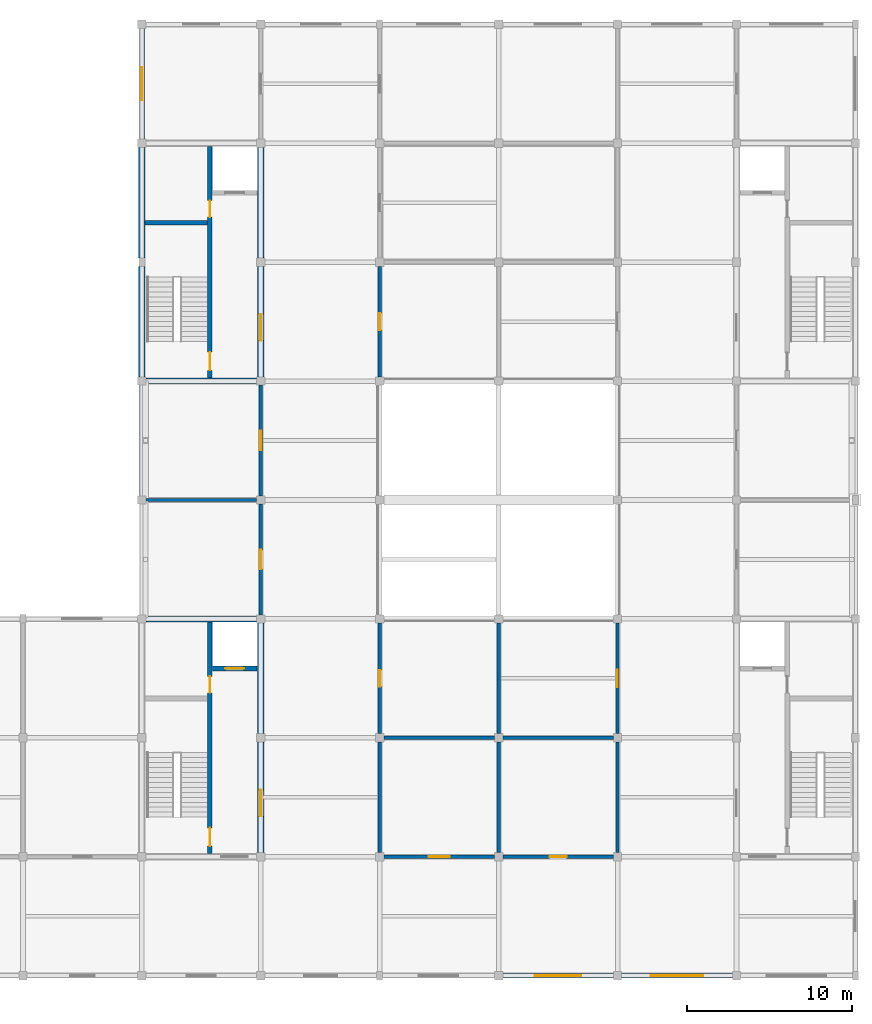
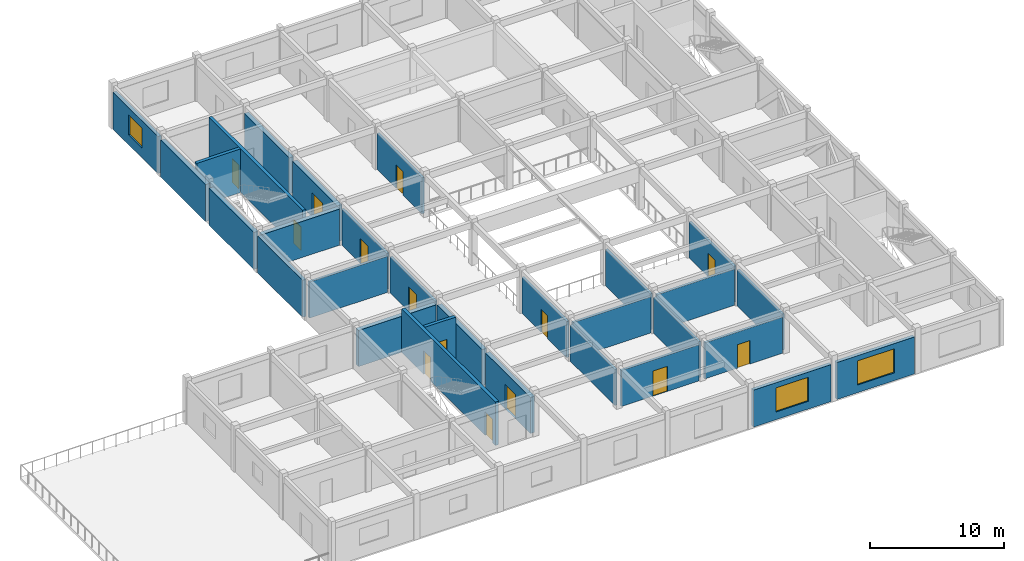
# One storey, part 4 of 7: 30 walls, 14 doors, 3 windows, 17 openings.
"""IFC4 building model written with IfcOpenShell, lengths in metres."""

from ifc_helpers import new_model, si_unit, direction, frame, frame_2d, origin, place, context, subcontext, project, spatial, rectangle, extrude, material, layer, layer_set, type_object, element, fill, save


model = new_model("IFC4")

# Units and contexts
model_context = context("Model", 3, precision=1e-05, world=origin(), true_north=direction((0.0, 1.0)))
body_context = subcontext(model_context, "Body", "Model", "MODEL_VIEW")
ifc_project = project(units=[si_unit("LENGTHUNIT", "METRE"), si_unit("AREAUNIT", "SQUARE_METRE"), si_unit("VOLUMEUNIT", "CUBIC_METRE"), si_unit("PLANEANGLEUNIT", "RADIAN"), si_unit("MASSUNIT", "GRAM", prefix="KILO")], contexts=[model_context])

# Site, building, storey
site_placement = place(None, origin())
site = spatial("IfcSite", under=ifc_project, at=site_placement, CompositionType="ELEMENT")
building_placement = place(site_placement, origin())
building = spatial("IfcBuilding", under=site, at=building_placement, Name="Cendaluz Park School", CompositionType="ELEMENT")
storey_placement = place(building_placement, frame((0.0, 0.0, 46.800048828125)))
storey = spatial("IfcBuildingStorey", under=building, at=storey_placement, Name="L11", CompositionType="ELEMENT", Elevation=46.800048828125)

# Wall
ifc_material_1 = material(Name="Gypsum Plasterboard on Cold-Formed Stud", Category="gypsum")
ifc_layer_1 = layer(ifc_material_1, 0.199951171875)
ifc_layer_set_1 = layer_set([ifc_layer_1], Name="Gypsum Plasterboard on Cold-Formed Stud")
wall_type_1 = type_object("IfcWallType", Name="W-AC20", PredefinedType="PARTITIONING", material=ifc_layer_set_1)
wall_1_placement = place(storey_placement, frame((65.050048828125, 36.0, 0.0), z_axis=(0.0, 0.0, 1.0), x_axis=(1.0, 0.0, 0.0)))
element("IfcWall", 1, at=wall_1_placement, inside=storey, type_object=wall_type_1, Name="WL-FL-BL4", PredefinedType="PARTITIONING", context=body_context, shape_type="SweptSolid", body=[
    extrude(rectangle(XDim=6.699951171875, YDim=0.199951171875, at=frame_2d((3.35009765625, 0.0))), origin(), (0.0, 0.0, 1.0), 3.2900390625),
])

# Wall, opening, door
wall_2_placement = place(storey_placement, frame((72.0, 29.050048828125, 0.0), z_axis=(0.0, 0.0, 1.0), x_axis=(0.0, 1.0, 0.0)))
wall_2 = element("IfcWall", 2, at=wall_2_placement, inside=storey, type_object=wall_type_1, Name="WL-FL-BL5", PredefinedType="PARTITIONING", context=body_context, shape_type="SweptSolid", body=[
    extrude(rectangle(XDim=6.699951171875, YDim=0.199951171875, at=frame_2d((3.35009765625, 0.0))), origin(), (0.0, 0.0, 1.0), 3.2900390625),
])
opening_1_placement = place(wall_2_placement, frame((2.77001953125, 0.0, 0.0)))
opening_1 = element("IfcOpeningElement", 3, at=opening_1_placement, cuts=wall_2, Name="Opening DCL-07", PredefinedType="OPENING", context=body_context, shape_type="SweptSolid", body=[
    extrude(rectangle(XDim=1.159912109375, YDim=2.219970703125, at=frame_2d((0.580078125, 1.10986328125))), frame((0.0, 0.112060546875, 0.0), z_axis=(0.0, -1.0, 0.0), x_axis=(1.0, 0.0, 0.0)), (0.0, 0.0, 1.0), 0.223876953125),
])
ifc_material_2 = material(Name="Solid Core Hardwood", Category="wood")
door_type_1 = type_object("IfcDoorType", Name="DCL-07", OperationType="NOTDEFINED", PredefinedType="DOOR", material=ifc_material_2)
door_1_placement = place(opening_1_placement, origin())
door_1 = element("IfcDoor", 4, at=door_1_placement, inside=storey, type_object=door_type_1, Name="D-L11-024", OperationType="SINGLE_SWING_RIGHT", OverallHeight=2.219970703125, OverallWidth=1.159912109375, PredefinedType="DOOR", context=body_context, shape_type="SweptSolid", body=[
    extrude(rectangle(XDim=1.159912109375, YDim=2.219970703125, at=frame_2d((0.580078125, 1.10986328125))), frame((0.0, 0.02490234375, 0.0), z_axis=(0.0, -1.0, 0.0), x_axis=(1.0, 0.0, 0.0)), (0.0, 0.0, 1.0), 0.050048828125),
])
fill(opening_1, door_1)

wall_3_placement = place(storey_placement, frame((72.0, 36.25, 0.0), z_axis=(0.0, 0.0, 1.0), x_axis=(0.0, 1.0, 0.0)))
wall_3 = element("IfcWall", 5, at=wall_3_placement, inside=storey, type_object=wall_type_1, Name="WL-FL-BL6", PredefinedType="PARTITIONING", context=body_context, shape_type="SweptSolid", body=[
    extrude(rectangle(XDim=6.699951171875, YDim=0.199951171875, at=frame_2d((3.35009765625, 0.0))), origin(), (0.0, 0.0, 1.0), 3.2900390625),
])
opening_2_placement = place(wall_3_placement, frame((2.75, 0.0, 0.0)))
opening_2 = element("IfcOpeningElement", 6, at=opening_2_placement, cuts=wall_3, Name="Opening DCL-08", PredefinedType="OPENING", context=body_context, shape_type="SweptSolid", body=[
    extrude(rectangle(XDim=1.199951171875, YDim=2.239990234375, at=frame_2d((0.60009765625, 1.1201171875))), frame((0.0, 0.112060546875, 0.0), z_axis=(0.0, -1.0, 0.0), x_axis=(1.0, 0.0, 0.0)), (0.0, 0.0, 1.0), 0.223876953125),
])
door_type_2 = type_object("IfcDoorType", Name="DCL-08", OperationType="NOTDEFINED", PredefinedType="DOOR", material=ifc_material_2)
door_2_placement = place(opening_2_placement, origin())
door_2 = element("IfcDoor", 7, at=door_2_placement, inside=storey, type_object=door_type_2, Name="D-L11-025", OperationType="SINGLE_SWING_LEFT", OverallHeight=2.239990234375, OverallWidth=1.199951171875, PredefinedType="DOOR", context=body_context, shape_type="SweptSolid", body=[
    extrude(rectangle(XDim=1.199951171875, YDim=2.239990234375, at=frame_2d((0.60009765625, 1.1201171875))), frame((0.0, 0.02490234375, 0.0), z_axis=(0.0, -1.0, 0.0), x_axis=(1.0, 0.0, 0.0)), (0.0, 0.0, 1.0), 0.050048828125),
])
fill(opening_2, door_2)

wall_4_placement = place(storey_placement, frame((79.449951171875, 14.39990234375, 0.0), z_axis=(0.0, 0.0, 1.0), x_axis=(1.0, 0.0, 0.0)))
wall_4 = element("IfcWall", 8, at=wall_4_placement, inside=storey, type_object=wall_type_1, Name="WL-FL-BL8", PredefinedType="PARTITIONING", context=body_context, shape_type="SweptSolid", body=[
    extrude(rectangle(XDim=6.699951171875, YDim=0.199951171875, at=frame_2d((3.35009765625, 0.0))), origin(), (0.0, 0.0, 1.0), 3.2900390625),
])
opening_3_placement = place(wall_4_placement, frame((2.7099609375, 0.0, 0.0)))
opening_3 = element("IfcOpeningElement", 9, at=opening_3_placement, cuts=wall_4, Name="Opening DCL-10", PredefinedType="OPENING", context=body_context, shape_type="SweptSolid", body=[
    extrude(rectangle(XDim=1.280029296875, YDim=2.280029296875, at=frame_2d((0.64013671875, 1.14013671875))), frame((0.0, 0.112060546875, 0.0), z_axis=(0.0, -1.0, 0.0), x_axis=(1.0, 0.0, 0.0)), (0.0, 0.0, 1.0), 0.223876953125),
])
door_type_3 = type_object("IfcDoorType", Name="DCL-10", OperationType="NOTDEFINED", PredefinedType="DOOR", material=ifc_material_2)
door_3_placement = place(opening_3_placement, origin())
door_3 = element("IfcDoor", 10, at=door_3_placement, inside=storey, type_object=door_type_3, Name="D-L11-027", OperationType="SINGLE_SWING_LEFT", OverallHeight=2.280029296875, OverallWidth=1.280029296875, PredefinedType="DOOR", context=body_context, shape_type="SweptSolid", body=[
    extrude(rectangle(XDim=1.280029296875, YDim=2.280029296875, at=frame_2d((0.64013671875, 1.14013671875))), frame((0.0, 0.02490234375, 0.0), z_axis=(0.0, -1.0, 0.0), x_axis=(1.0, 0.0, 0.0)), (0.0, 0.0, 1.0), 0.050048828125),
])
fill(opening_3, door_3)

# Walls
wall_5_placement = place(storey_placement, frame((79.449951171875, 21.60009765625, 0.0), z_axis=(0.0, 0.0, 1.0), x_axis=(1.0, 0.0, 0.0)))
element("IfcWall", 11, at=wall_5_placement, inside=storey, type_object=wall_type_1, Name="WL-FL-BL9", PredefinedType="PARTITIONING", context=body_context, shape_type="SweptSolid", body=[
    extrude(rectangle(XDim=6.699951171875, YDim=0.199951171875, at=frame_2d((3.35009765625, 0.0))), origin(), (0.0, 0.0, 1.0), 3.2900390625),
])
for number, where, z_axis, x_axis, name in (
    (12, (79.199951171875, 14.64990234375, 0.0), (0.0, 0.0, 1.0), (0.0, 1.0, 0.0), "WL-FL-BM0"),
    (13, (86.39990234375, 14.64990234375, 0.0), (0.0, 0.0, 1.0), (0.0, 1.0, 0.0), "WL-FL-BM1"),
):
    element("IfcWall", number, at=place(storey_placement, frame(where, z_axis=z_axis, x_axis=x_axis)), inside=storey, type_object=wall_type_1, Name=name, PredefinedType="PARTITIONING", context=body_context, shape_type="SweptSolid", body=[
        extrude(rectangle(XDim=6.7001953125, YDim=0.199951171875, at=frame_2d((3.35009765625, 0.0))), origin(), (0.0, 0.0, 1.0), 3.2900390625),
    ])

# Wall, opening, door
wall_6_placement = place(storey_placement, frame((79.199951171875, 21.85009765625, 0.0), z_axis=(0.0, 0.0, 1.0), x_axis=(0.0, 1.0, 0.0)))
wall_6 = element("IfcWall", 14, at=wall_6_placement, inside=storey, type_object=wall_type_1, Name="WL-FL-BM2", PredefinedType="PARTITIONING", context=body_context, shape_type="SweptSolid", body=[
    extrude(rectangle(XDim=6.699951171875, YDim=0.199951171875, at=frame_2d((3.35009765625, 0.0))), origin(), (0.0, 0.0, 1.0), 3.2900390625),
])
opening_4_placement = place(wall_6_placement, frame((2.85009765625, 0.0, 0.0)))
opening_4 = element("IfcOpeningElement", 15, at=opening_4_placement, cuts=wall_6, Name="Opening DCL-01", PredefinedType="OPENING", context=body_context, shape_type="SweptSolid", body=[
    extrude(rectangle(XDim=1.0, YDim=2.10009765625, at=frame_2d((0.5, 1.050048828125))), frame((0.0, 0.112060546875, 0.0), z_axis=(0.0, -1.0, 0.0), x_axis=(1.0, 0.0, 0.0)), (0.0, 0.0, 1.0), 0.223876953125),
])
door_type_4 = type_object("IfcDoorType", Name="DCL-01", OperationType="NOTDEFINED", PredefinedType="DOOR", material=ifc_material_2)
door_4_placement = place(opening_4_placement, frame((1.0, 0.0, 0.0), z_axis=(0.0, 0.0, 1.0), x_axis=(-1.0, 0.0, 0.0)))
door_4 = element("IfcDoor", 16, at=door_4_placement, inside=storey, type_object=door_type_4, Name="D-L11-028", OperationType="SINGLE_SWING_RIGHT", OverallHeight=2.10009765625, OverallWidth=1.0, PredefinedType="DOOR", context=body_context, shape_type="SweptSolid", body=[
    extrude(rectangle(XDim=1.0, YDim=2.10009765625, at=frame_2d((0.5, 1.050048828125))), frame((0.0, 0.02490234375, 0.0), z_axis=(0.0, -1.0, 0.0), x_axis=(1.0, 0.0, 0.0)), (0.0, 0.0, 1.0), 0.050048828125),
])
fill(opening_4, door_4)

# Wall
wall_7_placement = place(storey_placement, frame((86.39990234375, 21.85009765625, 0.0), z_axis=(0.0, 0.0, 1.0), x_axis=(0.0, 1.0, 0.0)))
element("IfcWall", 17, at=wall_7_placement, inside=storey, type_object=wall_type_1, Name="WL-FL-BM3", PredefinedType="PARTITIONING", context=body_context, shape_type="SweptSolid", body=[
    extrude(rectangle(XDim=6.699951171875, YDim=0.199951171875, at=frame_2d((3.35009765625, 0.0))), origin(), (0.0, 0.0, 1.0), 3.2900390625),
])

# Wall, opening, door
wall_8_placement = place(storey_placement, frame((79.199951171875, 43.449951171875, 0.0), z_axis=(0.0, 0.0, 1.0), x_axis=(0.0, 1.0, 0.0)))
wall_8 = element("IfcWall", 18, at=wall_8_placement, inside=storey, type_object=wall_type_1, Name="WL-FL-BM4", PredefinedType="PARTITIONING", context=body_context, shape_type="SweptSolid", body=[
    extrude(rectangle(XDim=6.699951171875, YDim=0.199951171875, at=frame_2d((3.35009765625, 0.0))), origin(), (0.0, 0.0, 1.0), 3.2900390625),
])
opening_5_placement = place(wall_8_placement, frame((2.840087890625, 0.0, 0.0)))
opening_5 = element("IfcOpeningElement", 19, at=opening_5_placement, cuts=wall_8, Name="Opening DCL-02", PredefinedType="OPENING", context=body_context, shape_type="SweptSolid", body=[
    extrude(rectangle(XDim=1.02001953125, YDim=2.1201171875, at=frame_2d((0.510009765625, 1.06005859375))), frame((0.0, 0.112060546875, 0.0), z_axis=(0.0, -1.0, 0.0), x_axis=(1.0, 0.0, 0.0)), (0.0, 0.0, 1.0), 0.223876953125),
])
door_type_5 = type_object("IfcDoorType", Name="DCL-02", OperationType="NOTDEFINED", PredefinedType="DOOR", material=ifc_material_2)
door_5_placement = place(opening_5_placement, frame((1.02001953125, 0.0, 0.0), z_axis=(0.0, 0.0, 1.0), x_axis=(-1.0, 0.0, 0.0)))
door_5 = element("IfcDoor", 20, at=door_5_placement, inside=storey, type_object=door_type_5, Name="D-L11-029", OperationType="SINGLE_SWING_LEFT", OverallHeight=2.1201171875, OverallWidth=1.02001953125, PredefinedType="DOOR", context=body_context, shape_type="SweptSolid", body=[
    extrude(rectangle(XDim=1.02001953125, YDim=2.1201171875, at=frame_2d((0.510009765625, 1.06005859375))), frame((0.0, 0.02490234375, 0.0), z_axis=(0.0, -1.0, 0.0), x_axis=(1.0, 0.0, 0.0)), (0.0, 0.0, 1.0), 0.050048828125),
])
fill(opening_5, door_5)

wall_9_placement = place(storey_placement, frame((86.64990234375, 14.39990234375, 0.0), z_axis=(0.0, 0.0, 1.0), x_axis=(1.0, 0.0, 0.0)))
wall_9 = element("IfcWall", 21, at=wall_9_placement, inside=storey, type_object=wall_type_1, Name="WL-FL-BM6", PredefinedType="PARTITIONING", context=body_context, shape_type="SweptSolid", body=[
    extrude(rectangle(XDim=6.7001953125, YDim=0.199951171875, at=frame_2d((3.35009765625, 0.0))), origin(), (0.0, 0.0, 1.0), 3.2900390625),
])
opening_6_placement = place(wall_9_placement, frame((2.830078125, 0.0, 0.0)))
opening_6 = element("IfcOpeningElement", 22, at=opening_6_placement, cuts=wall_9, Name="Opening DCL-03", PredefinedType="OPENING", context=body_context, shape_type="SweptSolid", body=[
    extrude(rectangle(XDim=1.0400390625, YDim=2.139892578125, at=frame_2d((0.52001953125, 1.06982421875))), frame((0.0, 0.112060546875, 0.0), z_axis=(0.0, -1.0, 0.0), x_axis=(1.0, 0.0, 0.0)), (0.0, 0.0, 1.0), 0.223876953125),
])
door_type_6 = type_object("IfcDoorType", Name="DCL-03", OperationType="NOTDEFINED", PredefinedType="DOOR", material=ifc_material_2)
door_6_placement = place(opening_6_placement, origin())
door_6 = element("IfcDoor", 23, at=door_6_placement, inside=storey, type_object=door_type_6, Name="D-L11-030", OperationType="SINGLE_SWING_RIGHT", OverallHeight=2.139892578125, OverallWidth=1.0400390625, PredefinedType="DOOR", context=body_context, shape_type="SweptSolid", body=[
    extrude(rectangle(XDim=1.0400390625, YDim=2.139892578125, at=frame_2d((0.52001953125, 1.06982421875))), frame((0.0, 0.02490234375, 0.0), z_axis=(0.0, -1.0, 0.0), x_axis=(1.0, 0.0, 0.0)), (0.0, 0.0, 1.0), 0.050048828125),
])
fill(opening_6, door_6)

# Walls
for number, where, z_axis, x_axis, name in (
    (24, (86.64990234375, 21.60009765625, 0.0), (0.0, 0.0, 1.0), (1.0, 0.0, 0.0), "WL-FL-BM7"),
    (25, (93.60009765625, 14.64990234375, 0.0), (0.0, 0.0, 1.0), (0.0, 1.0, 0.0), "WL-FL-BM8"),
):
    element("IfcWall", number, at=place(storey_placement, frame(where, z_axis=z_axis, x_axis=x_axis)), inside=storey, type_object=wall_type_1, Name=name, PredefinedType="PARTITIONING", context=body_context, shape_type="SweptSolid", body=[
        extrude(rectangle(XDim=6.7001953125, YDim=0.199951171875, at=frame_2d((3.35009765625, 0.0))), origin(), (0.0, 0.0, 1.0), 3.2900390625),
    ])

# Wall, opening, door
wall_10_placement = place(storey_placement, frame((93.60009765625, 21.85009765625, 0.0), z_axis=(0.0, 0.0, 1.0), x_axis=(0.0, 1.0, 0.0)))
wall_10 = element("IfcWall", 26, at=wall_10_placement, inside=storey, type_object=wall_type_1, Name="WL-FL-BM9", PredefinedType="PARTITIONING", context=body_context, shape_type="SweptSolid", body=[
    extrude(rectangle(XDim=6.699951171875, YDim=0.199951171875, at=frame_2d((3.35009765625, 0.0))), origin(), (0.0, 0.0, 1.0), 3.2900390625),
])
opening_7_placement = place(wall_10_placement, frame((2.820068359375, 0.0, 0.0)))
opening_7 = element("IfcOpeningElement", 27, at=opening_7_placement, cuts=wall_10, Name="Opening DCL-04", PredefinedType="OPENING", context=body_context, shape_type="SweptSolid", body=[
    extrude(rectangle(XDim=1.06005859375, YDim=2.159912109375, at=frame_2d((0.530029296875, 1.080078125))), frame((0.0, 0.112060546875, 0.0), z_axis=(0.0, -1.0, 0.0), x_axis=(1.0, 0.0, 0.0)), (0.0, 0.0, 1.0), 0.223876953125),
])
door_type_7 = type_object("IfcDoorType", Name="DCL-04", OperationType="NOTDEFINED", PredefinedType="DOOR", material=ifc_material_2)
door_7_placement = place(opening_7_placement, origin())
door_7 = element("IfcDoor", 28, at=door_7_placement, inside=storey, type_object=door_type_7, Name="D-L11-031", OperationType="SINGLE_SWING_LEFT", OverallHeight=2.159912109375, OverallWidth=1.06005859375, PredefinedType="DOOR", context=body_context, shape_type="SweptSolid", body=[
    extrude(rectangle(XDim=1.06005859375, YDim=2.159912109375, at=frame_2d((0.530029296875, 1.080078125))), frame((0.0, 0.02490234375, 0.0), z_axis=(0.0, -1.0, 0.0), x_axis=(1.0, 0.0, 0.0)), (0.0, 0.0, 1.0), 0.050048828125),
])
fill(opening_7, door_7)

# Wall
ifc_material_3 = material(Name="Cross-laminated timber CLT C24", Category="wood")
ifc_layer_2 = layer(ifc_material_3, 0.300048828125)
ifc_layer_set_2 = layer_set([ifc_layer_2], Name="Cross-laminated timber CLT C24")
wall_type_2 = type_object("IfcWallType", Name="W-EX30", PredefinedType="SOLIDWALL", material=ifc_layer_set_2)
wall_11_placement = place(storey_placement, frame((64.800048828125, 36.25, 0.0), z_axis=(0.0, 0.0, 1.0), x_axis=(0.0, 1.0, 0.0)))
element("IfcWall", 29, at=wall_11_placement, inside=storey, type_object=wall_type_2, Name="WL-FL-AA9", PredefinedType="SOLIDWALL", context=body_context, shape_type="SweptSolid", body=[
    extrude(rectangle(XDim=6.699951171875, YDim=0.300048828125, at=frame_2d((3.35009765625, 0.0))), origin(), (0.0, 0.0, 1.0), 3.369873046875),
])

# Wall, opening, window
wall_12_placement = place(storey_placement, frame((64.800048828125, 57.85009765625, 0.0), z_axis=(0.0, 0.0, 1.0), x_axis=(0.0, 1.0, 0.0)))
wall_12 = element("IfcWall", 30, at=wall_12_placement, inside=storey, type_object=wall_type_2, Name="WL-FL-AB1", PredefinedType="SOLIDWALL", context=body_context, shape_type="SweptSolid", body=[
    extrude(rectangle(XDim=6.699951171875, YDim=0.300048828125, at=frame_2d((3.35009765625, 0.0))), origin(), (0.0, 0.0, 1.0), 3.369873046875),
])
opening_8_placement = place(wall_12_placement, frame((2.35009765625, 0.0, 0.89990234375)))
opening_8 = element("IfcOpeningElement", 31, at=opening_8_placement, cuts=wall_12, Name="Opening WN-02", PredefinedType="OPENING", context=body_context, shape_type="SweptSolid", body=[
    extrude(rectangle(XDim=2.0, YDim=1.800048828125, at=frame_2d((1.0, 0.89990234375))), frame((0.0, 0.162109375, 0.0), z_axis=(0.0, -1.0, 0.0), x_axis=(1.0, 0.0, 0.0)), (0.0, 0.0, 1.0), 0.323974609375),
])
ifc_material_4 = material(Name="Tempered Low-E Double Glazing", Category="glass")
window_type_1 = type_object("IfcWindowType", Name="WN-02", PartitioningType="SINGLE_PANEL", PredefinedType="WINDOW", material=ifc_material_4)
window_1_placement = place(opening_8_placement, origin())
window_1 = element("IfcWindow", 32, at=window_1_placement, inside=storey, type_object=window_type_1, Name="WN-L11-009", OverallHeight=1.800048828125, OverallWidth=2.0, PartitioningType="SINGLE_PANEL", PredefinedType="WINDOW", context=body_context, shape_type="SweptSolid", body=[
    extrude(rectangle(XDim=2.0, YDim=1.800048828125, at=frame_2d((1.0, 0.89990234375))), frame((0.0, 0.030029296875, 0.0), z_axis=(0.0, -1.0, 0.0), x_axis=(1.0, 0.0, 0.0)), (0.0, 0.0, 1.0), 0.06005859375),
])
fill(opening_8, window_1)

wall_13_placement = place(storey_placement, frame((86.64990234375, 7.199951171875, 0.0), z_axis=(0.0, 0.0, 1.0), x_axis=(1.0, 0.0, 0.0)))
wall_13 = element("IfcWall", 33, at=wall_13_placement, inside=storey, type_object=wall_type_2, Name="WL-FL-AB6", PredefinedType="SOLIDWALL", context=body_context, shape_type="SweptSolid", body=[
    extrude(rectangle(XDim=6.7001953125, YDim=0.300048828125, at=frame_2d((3.35009765625, 0.0))), origin(), (0.0, 0.0, 1.0), 3.369873046875),
])
opening_9_placement = place(wall_13_placement, frame((1.949951171875, 0.0, 0.699951171875)))
opening_9 = element("IfcOpeningElement", 34, at=opening_9_placement, cuts=wall_13, Name="Opening WN-24", PredefinedType="OPENING", context=body_context, shape_type="SweptSolid", body=[
    extrude(rectangle(XDim=2.800048828125, YDim=2.199951171875, at=frame_2d((1.39990234375, 1.10009765625))), frame((0.0, 0.162109375, 0.0), z_axis=(0.0, -1.0, 0.0), x_axis=(1.0, 0.0, 0.0)), (0.0, 0.0, 1.0), 0.323974609375),
])
window_type_2 = type_object("IfcWindowType", Name="WN-24", PartitioningType="SINGLE_PANEL", PredefinedType="WINDOW", material=ifc_material_4)
window_2_placement = place(opening_9_placement, origin())
window_2 = element("IfcWindow", 35, at=window_2_placement, inside=storey, type_object=window_type_2, Name="WN-L11-014", OverallHeight=2.199951171875, OverallWidth=2.800048828125, PartitioningType="SINGLE_PANEL", PredefinedType="WINDOW", context=body_context, shape_type="SweptSolid", body=[
    extrude(rectangle(XDim=2.800048828125, YDim=2.199951171875, at=frame_2d((1.39990234375, 1.10009765625))), frame((0.0, 0.030029296875, 0.0), z_axis=(0.0, -1.0, 0.0), x_axis=(1.0, 0.0, 0.0)), (0.0, 0.0, 1.0), 0.06005859375),
])
fill(opening_9, window_2)

wall_14_placement = place(storey_placement, frame((93.85009765625, 7.199951171875, 0.0), z_axis=(0.0, 0.0, 1.0), x_axis=(1.0, 0.0, 0.0)))
wall_14 = element("IfcWall", 36, at=wall_14_placement, inside=storey, type_object=wall_type_2, Name="WL-FL-AB8", PredefinedType="SOLIDWALL", context=body_context, shape_type="SweptSolid", body=[
    extrude(rectangle(XDim=6.699951171875, YDim=0.300048828125, at=frame_2d((3.35009765625, 0.0))), origin(), (0.0, 0.0, 1.0), 3.369873046875),
])
opening_10_placement = place(wall_14_placement, frame((1.75, 0.0, 0.699951171875)))
opening_10 = element("IfcOpeningElement", 37, at=opening_10_placement, cuts=wall_14, Name="Opening WN-25", PredefinedType="OPENING", context=body_context, shape_type="SweptSolid", body=[
    extrude(rectangle(XDim=3.199951171875, YDim=2.199951171875, at=frame_2d((1.60009765625, 1.10009765625))), frame((0.0, 0.162109375, 0.0), z_axis=(0.0, -1.0, 0.0), x_axis=(1.0, 0.0, 0.0)), (0.0, 0.0, 1.0), 0.323974609375),
])
window_type_3 = type_object("IfcWindowType", Name="WN-25", PartitioningType="SINGLE_PANEL", PredefinedType="WINDOW", material=ifc_material_4)
window_3_placement = place(opening_10_placement, origin())
window_3 = element("IfcWindow", 38, at=window_3_placement, inside=storey, type_object=window_type_3, Name="WN-L11-016", OverallHeight=2.199951171875, OverallWidth=3.199951171875, PartitioningType="SINGLE_PANEL", PredefinedType="WINDOW", context=body_context, shape_type="SweptSolid", body=[
    extrude(rectangle(XDim=3.199951171875, YDim=2.199951171875, at=frame_2d((1.60009765625, 1.10009765625))), frame((0.0, 0.030029296875, 0.0), z_axis=(0.0, -1.0, 0.0), x_axis=(1.0, 0.0, 0.0)), (0.0, 0.0, 1.0), 0.06005859375),
])
fill(opening_10, window_3)

# Wall, openings, doors
ifc_material_5 = material(Name="Concrete C40/50", Category="concrete")
ifc_layer_3 = layer(ifc_material_5, 0.280029296875)
ifc_layer_set_3 = layer_set([ifc_layer_3], Name="Concrete C40/50")
wall_type_3 = type_object("IfcWallType", Name="W-FW28", PredefinedType="SHEAR", material=ifc_layer_set_3)
wall_15_placement = place(storey_placement, frame((68.919921875, 14.60009765625, 0.0), z_axis=(0.0, 0.0, 1.0), x_axis=(0.0, 1.0, 0.0)))
wall_15 = element("IfcWall", 39, at=wall_15_placement, inside=storey, type_object=wall_type_3, Name="WL-FL-BH2", PredefinedType="SHEAR", context=body_context, shape_type="SweptSolid", body=[
    extrude(rectangle(XDim=14.0, YDim=0.280029296875, at=frame_2d((7.0, 0.0))), origin(), (0.0, 0.0, 1.0), 3.969970703125),
])
opening_11_placement = place(wall_15_placement, frame((0.449951171875, 0.0, 0.0)))
opening_11 = element("IfcOpeningElement", 40, at=opening_11_placement, cuts=wall_15, Name="Opening DST-01", PredefinedType="OPENING", context=body_context, shape_type="SweptSolid", body=[
    extrude(rectangle(XDim=1.10009765625, YDim=2.14990234375, at=frame_2d((0.550048828125, 1.074951171875))), frame((0.0, 0.152099609375, 0.0), z_axis=(0.0, -1.0, 0.0), x_axis=(1.0, 0.0, 0.0)), (0.0, 0.0, 1.0), 0.303955078125),
])
opening_12_placement = place(wall_15_placement, frame((9.719970703125, 0.0, 0.0)))
opening_12 = element("IfcOpeningElement", 41, at=opening_12_placement, cuts=wall_15, Name="Opening DFC-01", PredefinedType="OPENING", context=body_context, shape_type="SweptSolid", body=[
    extrude(rectangle(XDim=1.0, YDim=2.14990234375, at=frame_2d((0.5, 1.074951171875))), frame((0.0, 0.152099609375, 0.0), z_axis=(0.0, -1.0, 0.0), x_axis=(1.0, 0.0, 0.0)), (0.0, 0.0, 1.0), 0.303955078125),
])
door_type_8 = type_object("IfcDoorType", Name="DFC-01", OperationType="NOTDEFINED", PredefinedType="DOOR", material=ifc_material_2)
door_8_placement = place(opening_12_placement, origin())
door_8 = element("IfcDoor", 42, at=door_8_placement, inside=storey, type_object=door_type_8, Name="D-L11-005", OperationType="SINGLE_SWING_LEFT", OverallHeight=2.14990234375, OverallWidth=1.0, PredefinedType="DOOR", context=body_context, shape_type="SweptSolid", body=[
    extrude(rectangle(XDim=1.0, YDim=2.14990234375, at=frame_2d((0.5, 1.074951171875))), frame((0.0, 0.02490234375, 0.0), z_axis=(0.0, -1.0, 0.0), x_axis=(1.0, 0.0, 0.0)), (0.0, 0.0, 1.0), 0.050048828125),
])
fill(opening_12, door_8)
door_type_9 = type_object("IfcDoorType", Name="DST-01", OperationType="NOTDEFINED", PredefinedType="DOOR", material=ifc_material_2)
door_9_placement = place(opening_11_placement, origin())
door_9 = element("IfcDoor", 43, at=door_9_placement, inside=storey, type_object=door_type_9, Name="D-L11-004", OperationType="SINGLE_SWING_LEFT", OverallHeight=2.14990234375, OverallWidth=1.10009765625, PredefinedType="DOOR", context=body_context, shape_type="SweptSolid", body=[
    extrude(rectangle(XDim=1.10009765625, YDim=2.14990234375, at=frame_2d((0.550048828125, 1.074951171875))), frame((0.0, 0.02490234375, 0.0), z_axis=(0.0, -1.0, 0.0), x_axis=(1.0, 0.0, 0.0)), (0.0, 0.0, 1.0), 0.050048828125),
])
fill(opening_11, door_9)

# Wall, opening, door
wall_16_placement = place(storey_placement, frame((69.080078125, 25.800048828125, 0.0), z_axis=(0.0, 0.0, 1.0), x_axis=(1.0, 0.0, 0.0)))
wall_16 = element("IfcWall", 44, at=wall_16_placement, inside=storey, type_object=wall_type_3, Name="WL-FL-BH4", PredefinedType="SHEAR", context=body_context, shape_type="SweptSolid", body=[
    extrude(rectangle(XDim=2.679931640625, YDim=0.280029296875, at=frame_2d((1.33984375, 0.0))), origin(), (0.0, 0.0, 1.0), 3.969970703125),
])
opening_13_placement = place(wall_16_placement, frame((0.764892578125, 0.0, 0.0)))
opening_13 = element("IfcOpeningElement", 45, at=opening_13_placement, cuts=wall_16, Name="Opening LD-01", PredefinedType="OPENING", context=body_context, shape_type="SweptSolid", body=[
    extrude(rectangle(XDim=1.14990234375, YDim=2.199951171875, at=frame_2d((0.574951171875, 1.10009765625))), frame((0.0, 0.152099609375, 0.0), z_axis=(0.0, -1.0, 0.0), x_axis=(1.0, 0.0, 0.0)), (0.0, 0.0, 1.0), 0.303955078125),
])
ifc_material_6 = material(Name="Stainless Steel 316L", Category="steel")
door_type_10 = type_object("IfcDoorType", Name="LD-01", OperationType="DOUBLE_DOOR_SLIDING", PredefinedType="DOOR", material=ifc_material_6)
door_10_placement = place(opening_13_placement, frame((1.14990234375, 0.0, 0.0), z_axis=(0.0, 0.0, 1.0), x_axis=(-1.0, 0.0, 0.0)))
door_10 = element("IfcDoor", 46, at=door_10_placement, inside=storey, type_object=door_type_10, Name="D-L11-006", OperationType="DOUBLE_DOOR_SLIDING", OverallHeight=2.199951171875, OverallWidth=1.14990234375, PredefinedType="DOOR", context=body_context, shape_type="SweptSolid", body=[
    extrude(rectangle(XDim=1.14990234375, YDim=2.199951171875, at=frame_2d((0.574951171875, 1.10009765625))), frame((0.0, 0.02490234375, 0.0), z_axis=(0.0, -1.0, 0.0), x_axis=(1.0, 0.0, 0.0)), (0.0, 0.0, 1.0), 0.050048828125),
])
fill(opening_13, door_10)

# Wall, openings, doors
wall_17_placement = place(storey_placement, frame((68.919921875, 43.39990234375, 0.0), z_axis=(0.0, 0.0, 1.0), x_axis=(0.0, 1.0, 0.0)))
wall_17 = element("IfcWall", 47, at=wall_17_placement, inside=storey, type_object=wall_type_3, Name="WL-FL-BJ0", PredefinedType="SHEAR", context=body_context, shape_type="SweptSolid", body=[
    extrude(rectangle(XDim=14.0, YDim=0.280029296875, at=frame_2d((7.0, 0.0))), origin(), (0.0, 0.0, 1.0), 3.969970703125),
])
opening_14_placement = place(wall_17_placement, frame((0.449951171875, 0.0, 0.0)))
opening_14 = element("IfcOpeningElement", 48, at=opening_14_placement, cuts=wall_17, Name="Opening DST-01", PredefinedType="OPENING", context=body_context, shape_type="SweptSolid", body=[
    extrude(rectangle(XDim=1.10009765625, YDim=2.14990234375, at=frame_2d((0.550048828125, 1.074951171875))), frame((0.0, 0.152099609375, 0.0), z_axis=(0.0, -1.0, 0.0), x_axis=(1.0, 0.0, 0.0)), (0.0, 0.0, 1.0), 0.303955078125),
])
opening_15_placement = place(wall_17_placement, frame((9.719970703125, 0.0, 0.0)))
opening_15 = element("IfcOpeningElement", 49, at=opening_15_placement, cuts=wall_17, Name="Opening DFC-01", PredefinedType="OPENING", context=body_context, shape_type="SweptSolid", body=[
    extrude(rectangle(XDim=1.0, YDim=2.14990234375, at=frame_2d((0.5, 1.074951171875))), frame((0.0, 0.152099609375, 0.0), z_axis=(0.0, -1.0, 0.0), x_axis=(1.0, 0.0, 0.0)), (0.0, 0.0, 1.0), 0.303955078125),
])
door_11_placement = place(opening_15_placement, origin())
door_11 = element("IfcDoor", 50, at=door_11_placement, inside=storey, type_object=door_type_8, Name="D-L11-014", OperationType="SINGLE_SWING_LEFT", OverallHeight=2.14990234375, OverallWidth=1.0, PredefinedType="DOOR", context=body_context, shape_type="SweptSolid", body=[
    extrude(rectangle(XDim=1.0, YDim=2.14990234375, at=frame_2d((0.5, 1.074951171875))), frame((0.0, 0.02490234375, 0.0), z_axis=(0.0, -1.0, 0.0), x_axis=(1.0, 0.0, 0.0)), (0.0, 0.0, 1.0), 0.050048828125),
])
fill(opening_15, door_11)
door_12_placement = place(opening_14_placement, origin())
door_12 = element("IfcDoor", 51, at=door_12_placement, inside=storey, type_object=door_type_9, Name="D-L11-013", OperationType="SINGLE_SWING_LEFT", OverallHeight=2.14990234375, OverallWidth=1.10009765625, PredefinedType="DOOR", context=body_context, shape_type="SweptSolid", body=[
    extrude(rectangle(XDim=1.10009765625, YDim=2.14990234375, at=frame_2d((0.550048828125, 1.074951171875))), frame((0.0, 0.02490234375, 0.0), z_axis=(0.0, -1.0, 0.0), x_axis=(1.0, 0.0, 0.0)), (0.0, 0.0, 1.0), 0.050048828125),
])
fill(opening_14, door_12)

# Wall
wall_18_placement = place(storey_placement, frame((65.0, 52.780029296875, 0.0), z_axis=(0.0, 0.0, 1.0), x_axis=(1.0, 0.0, 0.0)))
element("IfcWall", 52, at=wall_18_placement, inside=storey, type_object=wall_type_3, Name="WL-FL-BJ1", PredefinedType="SHEAR", context=body_context, shape_type="SweptSolid", body=[
    extrude(rectangle(XDim=3.780029296875, YDim=0.280029296875, at=frame_2d((1.89013671875, 0.0))), origin(), (0.0, 0.0, 1.0), 3.969970703125),
])

# Wall, opening, door
ifc_layer_4 = layer(ifc_material_5, 0.3798828125)
ifc_layer_set_4 = layer_set([ifc_layer_4], Name="Concrete C40/50")
wall_type_4 = type_object("IfcWallType", Name="W-SH38", PredefinedType="SHEAR", material=ifc_layer_set_4)
wall_19_placement = place(storey_placement, frame((72.0, 14.64990234375, 0.0), z_axis=(0.0, 0.0, 1.0), x_axis=(0.0, 1.0, 0.0)))
wall_19 = element("IfcWall", 53, at=wall_19_placement, inside=storey, type_object=wall_type_4, Name="WL-FL-BG8", PredefinedType="SHEAR", context=body_context, shape_type="SweptSolid", body=[
    extrude(rectangle(XDim=6.7001953125, YDim=0.3798828125, at=frame_2d((3.35009765625, 0.0))), origin(), (0.0, 0.0, 1.0), 3.2900390625),
])
opening_16_placement = place(wall_19_placement, frame((2.199951171875, 0.0, 0.0)))
opening_16 = element("IfcOpeningElement", 54, at=opening_16_placement, cuts=wall_19, Name="Opening DLB-01", PredefinedType="OPENING", context=body_context, shape_type="SweptSolid", body=[
    extrude(rectangle(XDim=1.60009765625, YDim=2.199951171875, at=frame_2d((0.800048828125, 1.10009765625))), frame((0.0, 0.201904296875, 0.0), z_axis=(0.0, -1.0, 0.0), x_axis=(1.0, 0.0, 0.0)), (0.0, 0.0, 1.0), 0.40380859375),
])
door_type_11 = type_object("IfcDoorType", Name="DLB-01", OperationType="DOUBLE_DOOR_SINGLE_SWING", PredefinedType="DOOR", material=ifc_material_2)
door_13_placement = place(opening_16_placement, origin())
door_13 = element("IfcDoor", 55, at=door_13_placement, inside=storey, type_object=door_type_11, Name="D-L11-002", OperationType="DOUBLE_DOOR_SINGLE_SWING", OverallHeight=2.199951171875, OverallWidth=1.60009765625, PredefinedType="DOOR", context=body_context, shape_type="SweptSolid", body=[
    extrude(rectangle(XDim=1.60009765625, YDim=2.199951171875, at=frame_2d((0.800048828125, 1.10009765625))), frame((0.0, 0.02490234375, 0.0), z_axis=(0.0, -1.0, 0.0), x_axis=(1.0, 0.0, 0.0)), (0.0, 0.0, 1.0), 0.050048828125),
])
fill(opening_16, door_13)

# Walls
for number, where, z_axis, x_axis, name in (
    (56, (72.0, 21.85009765625, 0.0), (0.0, 0.0, 1.0), (0.0, 1.0, 0.0), "WL-FL-BG9"),
    (57, (65.050048828125, 28.800048828125, 0.0), (0.0, 0.0, 1.0), (1.0, 0.0, 0.0), "WL-FL-BH1"),
):
    element("IfcWall", number, at=place(storey_placement, frame(where, z_axis=z_axis, x_axis=x_axis)), inside=storey, type_object=wall_type_4, Name=name, PredefinedType="SHEAR", context=body_context, shape_type="SweptSolid", body=[
        extrude(rectangle(XDim=6.699951171875, YDim=0.3798828125, at=frame_2d((3.35009765625, 0.0))), origin(), (0.0, 0.0, 1.0), 3.2900390625),
    ])
wall_20_placement = place(storey_placement, frame((64.800048828125, 43.449951171875, 0.0), z_axis=(0.0, 0.0, 1.0), x_axis=(0.0, 1.0, 0.0)))
element("IfcWall", 58, at=wall_20_placement, inside=storey, type_object=wall_type_4, Name="WL-FL-BI4", PredefinedType="SHEAR", context=body_context, shape_type="SweptSolid", body=[
    extrude(rectangle(XDim=6.68994140625, YDim=0.3798828125, at=frame_2d((3.344970703125, 0.0))), origin(), (0.0, 0.0, 1.0), 3.369873046875),
])
wall_21_placement = place(storey_placement, frame((64.800048828125, 50.659912109375, 0.0), z_axis=(0.0, 0.0, 1.0), x_axis=(0.0, 1.0, 0.0)))
element("IfcWall", 59, at=wall_21_placement, inside=storey, type_object=wall_type_4, Name="WL-FL-BI5", PredefinedType="SHEAR", context=body_context, shape_type="SweptSolid", body=[
    extrude(rectangle(XDim=6.690185546875, YDim=0.3798828125, at=frame_2d((3.34521484375, 0.0))), origin(), (0.0, 0.0, 1.0), 3.369873046875),
])

# Wall, opening, door
wall_22_placement = place(storey_placement, frame((72.0, 43.449951171875, 0.0), z_axis=(0.0, 0.0, 1.0), x_axis=(0.0, 1.0, 0.0)))
wall_22 = element("IfcWall", 60, at=wall_22_placement, inside=storey, type_object=wall_type_4, Name="WL-FL-BI6", PredefinedType="SHEAR", context=body_context, shape_type="SweptSolid", body=[
    extrude(rectangle(XDim=6.699951171875, YDim=0.3798828125, at=frame_2d((3.35009765625, 0.0))), origin(), (0.0, 0.0, 1.0), 3.2900390625),
])
opening_17_placement = place(wall_22_placement, frame((2.199951171875, 0.0, 0.0)))
opening_17 = element("IfcOpeningElement", 61, at=opening_17_placement, cuts=wall_22, Name="Opening DLB-01", PredefinedType="OPENING", context=body_context, shape_type="SweptSolid", body=[
    extrude(rectangle(XDim=1.60009765625, YDim=2.199951171875, at=frame_2d((0.800048828125, 1.10009765625))), frame((0.0, 0.201904296875, 0.0), z_axis=(0.0, -1.0, 0.0), x_axis=(1.0, 0.0, 0.0)), (0.0, 0.0, 1.0), 0.40380859375),
])
door_14_placement = place(opening_17_placement, origin())
door_14 = element("IfcDoor", 62, at=door_14_placement, inside=storey, type_object=door_type_11, Name="D-L11-012", OperationType="DOUBLE_DOOR_SINGLE_SWING", OverallHeight=2.199951171875, OverallWidth=1.60009765625, PredefinedType="DOOR", context=body_context, shape_type="SweptSolid", body=[
    extrude(rectangle(XDim=1.60009765625, YDim=2.199951171875, at=frame_2d((0.800048828125, 1.10009765625))), frame((0.0, 0.02490234375, 0.0), z_axis=(0.0, -1.0, 0.0), x_axis=(1.0, 0.0, 0.0)), (0.0, 0.0, 1.0), 0.050048828125),
])
fill(opening_17, door_14)

# Walls
wall_23_placement = place(storey_placement, frame((72.0, 50.64990234375, 0.0), z_axis=(0.0, 0.0, 1.0), x_axis=(0.0, 1.0, 0.0)))
element("IfcWall", 63, at=wall_23_placement, inside=storey, type_object=wall_type_4, Name="WL-FL-BI7", PredefinedType="SHEAR", context=body_context, shape_type="SweptSolid", body=[
    extrude(rectangle(XDim=6.7001953125, YDim=0.3798828125, at=frame_2d((3.35009765625, 0.0))), origin(), (0.0, 0.0, 1.0), 3.2900390625),
])
wall_24_placement = place(storey_placement, frame((65.050048828125, 43.199951171875, 0.0), z_axis=(0.0, 0.0, 1.0), x_axis=(1.0, 0.0, 0.0)))
element("IfcWall", 64, at=wall_24_placement, inside=storey, type_object=wall_type_4, Name="WL-FL-BI8", PredefinedType="SHEAR", context=body_context, shape_type="SweptSolid", body=[
    extrude(rectangle(XDim=6.699951171875, YDim=0.3798828125, at=frame_2d((3.35009765625, 0.0))), origin(), (0.0, 0.0, 1.0), 3.2900390625),
])

save(model, "model.ifc")
